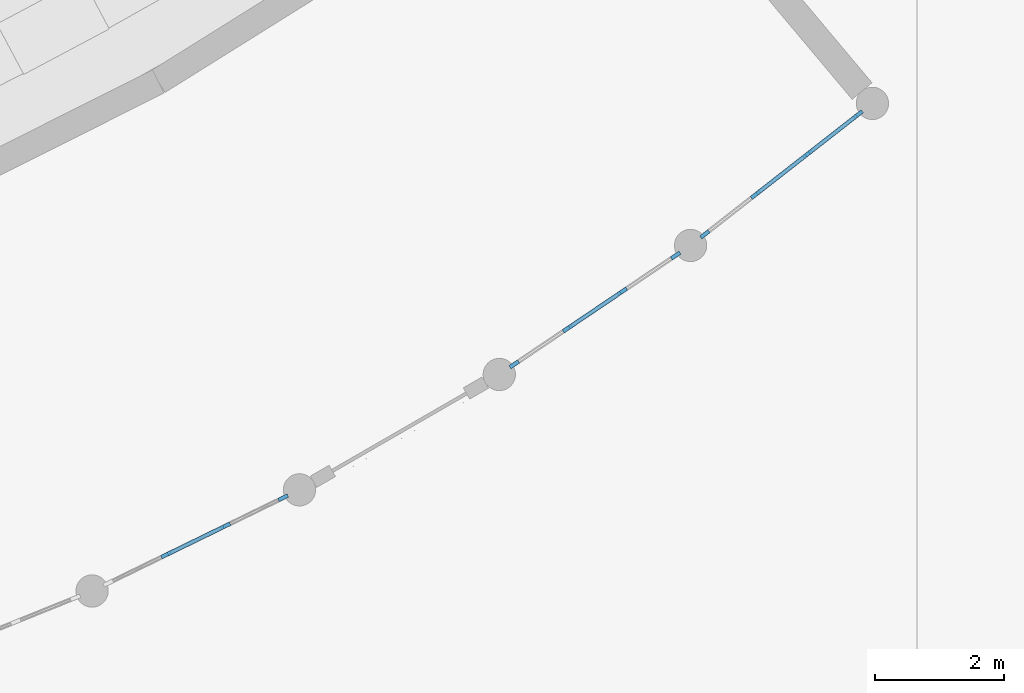
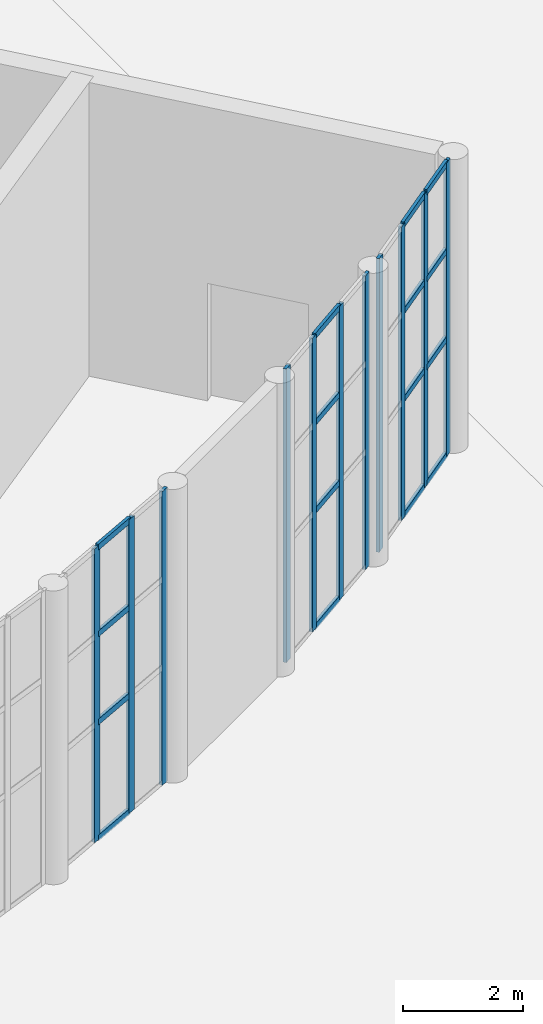
# One storey, part 48 of 210: 27 members, 3 elements without a shape of their own.
"""IFC4 building model written with IfcOpenShell, lengths in metres."""

from ifc_helpers import new_model, si_unit, direction, frame, origin, origin_2d, place, context, subcontext, project, spatial, rectangle, extrude, material, layer, layer_set, material_profile, profile_set, type_object, element, aggregate, save


model = new_model("IFC4")

# Units and contexts
model_context = context("Model", 3, precision=1e-05, world=origin(), true_north=direction((0.0, 1.0)))
body_context = subcontext(model_context, "Body", "Model", "MODEL_VIEW")
ifc_project = project(units=[si_unit("LENGTHUNIT", "METRE"), si_unit("AREAUNIT", "SQUARE_METRE"), si_unit("VOLUMEUNIT", "CUBIC_METRE"), si_unit("PLANEANGLEUNIT", "RADIAN"), si_unit("MASSUNIT", "GRAM", prefix="KILO")], contexts=[model_context])

# Site, building, storey
site_placement = place(None, origin())
site = spatial("IfcSite", under=ifc_project, at=site_placement, CompositionType="ELEMENT")
building_placement = place(site_placement, origin())
building = spatial("IfcBuilding", under=site, at=building_placement, Name="Rain Tree Exposition and Congress Centre", CompositionType="ELEMENT")
storey_placement = place(building_placement, origin())
storey = spatial("IfcBuildingStorey", under=building, at=storey_placement, Name="L00", CompositionType="ELEMENT", Elevation=0.0)

# Curtain wall, members
ifc_material_1 = material(Name="Aluminium", Category="aluminium")
ifc_layer = layer(ifc_material_1, 0.10009765625)
ifc_layer_set = layer_set([ifc_layer], Name="Aluminium")
curtain_wall_type = type_object("IfcCurtainWallType", Name="Curtain wall congress", PredefinedType="NOTDEFINED", material=ifc_layer_set)
curtain_wall_1_placement = place(storey_placement, origin())
curtain_wall_1 = element("IfcCurtainWall", 1, at=curtain_wall_1_placement, inside=storey, type_object=curtain_wall_type, Name="Curtain wall L00 bay 17", PredefinedType="NOTDEFINED")
ifc_material_2 = material(Name="Aluminium", Category="aluminium")
ifc_material_profile_1 = material_profile(ifc_material_2, rectangle(XDim=0.06005859375, YDim=0.159912109375, at=origin_2d()), Name="AL 60x160")
ifc_profile_set_1 = profile_set([ifc_material_profile_1], Name="Aluminium")
member_type_1 = type_object("IfcMemberType", Name="Curtain wall mullion 60x160 congress", PredefinedType="MULLION", material=ifc_profile_set_1)
member_1_placement = place(storey_placement, frame((223.570556640625, 20.9853515625, 0.0), z_axis=(0.0, 0.0, 1.0), x_axis=(-0.438368505628, 0.898795334475, 0.0)))
member_1 = element("IfcMember", 2, at=member_1_placement, type_object=member_type_1, Name="CWG117 mullion 2", PredefinedType="MULLION", context=body_context, shape_type="SweptSolid", body=[
    extrude(rectangle(XDim=0.06005859375, YDim=0.159912109375, at=origin_2d()), origin(), (0.0, 0.0, 1.0), 6.0),
])
member_2_placement = place(storey_placement, frame((224.491455078125, 21.434326171875, 0.0), z_axis=(0.0, 0.0, 1.0), x_axis=(-0.438368505628, 0.898795334475, 0.0)))
member_2 = element("IfcMember", 3, at=member_2_placement, type_object=member_type_1, Name="CWG117 mullion 3", PredefinedType="MULLION", context=body_context, shape_type="SweptSolid", body=[
    extrude(rectangle(XDim=0.06005859375, YDim=0.159912109375, at=origin_2d()), origin(), (0.0, 0.0, 1.0), 6.0),
])
member_3_placement = place(storey_placement, frame((225.38525390625, 21.870361328125, 0.0), z_axis=(0.0, 0.0, 1.0), x_axis=(-0.438368505628, 0.898795334475, 0.0)))
member_3 = element("IfcMember", 4, at=member_3_placement, type_object=member_type_1, Name="CWG117 mullion 4", PredefinedType="MULLION", context=body_context, shape_type="SweptSolid", body=[
    extrude(rectangle(XDim=0.06005859375, YDim=0.159912109375, at=origin_2d()), origin(), (0.0, 0.0, 1.0), 6.0),
])

curtain_wall_2_placement = place(storey_placement, origin())
curtain_wall_2 = element("IfcCurtainWall", 5, at=curtain_wall_2_placement, inside=storey, type_object=curtain_wall_type, Name="Curtain wall L00 bay 19", PredefinedType="NOTDEFINED")
member_4_placement = place(storey_placement, frame((228.9638671875, 23.9365234375, 0.0), z_axis=(0.0, 0.0, 1.0), x_axis=(-0.559196793659, 0.829034948577, 0.0)))
member_4 = element("IfcMember", 6, at=member_4_placement, type_object=member_type_1, Name="CWG119 mullion 1", PredefinedType="MULLION", context=body_context, shape_type="SweptSolid", body=[
    extrude(rectangle(XDim=0.06005859375, YDim=0.159912109375, at=origin_2d()), origin(), (0.0, 0.0, 1.0), 6.0),
])
member_5_placement = place(storey_placement, frame((229.78857421875, 24.49267578125, 0.0), z_axis=(0.0, 0.0, 1.0), x_axis=(-0.559196793659, 0.829034948577, 0.0)))
member_5 = element("IfcMember", 7, at=member_5_placement, type_object=member_type_1, Name="CWG119 mullion 2", PredefinedType="MULLION", context=body_context, shape_type="SweptSolid", body=[
    extrude(rectangle(XDim=0.06005859375, YDim=0.159912109375, at=origin_2d()), origin(), (0.0, 0.0, 1.0), 6.0),
])
member_6_placement = place(storey_placement, frame((230.637939453125, 25.065673828125, 0.0), z_axis=(0.0, 0.0, 1.0), x_axis=(-0.559196793659, 0.829034948577, 0.0)))
member_6 = element("IfcMember", 8, at=member_6_placement, type_object=member_type_1, Name="CWG119 mullion 3", PredefinedType="MULLION", context=body_context, shape_type="SweptSolid", body=[
    extrude(rectangle(XDim=0.06005859375, YDim=0.159912109375, at=origin_2d()), origin(), (0.0, 0.0, 1.0), 6.0),
])
member_7_placement = place(storey_placement, frame((231.46240234375, 25.621826171875, 0.0), z_axis=(0.0, 0.0, 1.0), x_axis=(-0.559196793659, 0.829034948577, 0.0)))
member_7 = element("IfcMember", 9, at=member_7_placement, type_object=member_type_1, Name="CWG119 mullion 4", PredefinedType="MULLION", context=body_context, shape_type="SweptSolid", body=[
    extrude(rectangle(XDim=0.06005859375, YDim=0.159912109375, at=origin_2d()), origin(), (0.0, 0.0, 1.0), 6.0),
])

curtain_wall_3_placement = place(storey_placement, origin())
curtain_wall_3 = element("IfcCurtainWall", 10, at=curtain_wall_3_placement, inside=storey, type_object=curtain_wall_type, Name="Curtain wall L00 bay 20", PredefinedType="NOTDEFINED")
member_8_placement = place(storey_placement, frame((231.915283203125, 25.95068359375, 0.0), z_axis=(0.0, 0.0, 1.0), x_axis=(-0.615671189348, 0.788003164084, 0.0)))
member_8 = element("IfcMember", 11, at=member_8_placement, type_object=member_type_1, Name="CWG120 mullion 1", PredefinedType="MULLION", context=body_context, shape_type="SweptSolid", body=[
    extrude(rectangle(XDim=0.06005859375, YDim=0.159912109375, at=origin_2d()), origin(), (0.0, 0.0, 1.0), 6.0),
])
member_9_placement = place(storey_placement, frame((232.698974609375, 26.56298828125, 0.0), z_axis=(0.0, 0.0, 1.0), x_axis=(-0.615671189348, 0.788003164084, 0.0)))
member_9 = element("IfcMember", 12, at=member_9_placement, type_object=member_type_1, Name="CWG120 mullion 2", PredefinedType="MULLION", context=body_context, shape_type="SweptSolid", body=[
    extrude(rectangle(XDim=0.06005859375, YDim=0.159912109375, at=origin_2d()), origin(), (0.0, 0.0, 1.0), 6.0),
])
member_10_placement = place(storey_placement, frame((233.50634765625, 27.19384765625, 0.0), z_axis=(0.0, 0.0, 1.0), x_axis=(-0.615671189348, 0.788003164084, 0.0)))
member_10 = element("IfcMember", 13, at=member_10_placement, type_object=member_type_1, Name="CWG120 mullion 3", PredefinedType="MULLION", context=body_context, shape_type="SweptSolid", body=[
    extrude(rectangle(XDim=0.06005859375, YDim=0.159912109375, at=origin_2d()), origin(), (0.0, 0.0, 1.0), 6.0),
])
member_11_placement = place(storey_placement, frame((234.2900390625, 27.80615234375, 0.0), z_axis=(0.0, 0.0, 1.0), x_axis=(-0.615671189348, 0.788003164084, 0.0)))
member_11 = element("IfcMember", 14, at=member_11_placement, type_object=member_type_1, Name="CWG120 mullion 4", PredefinedType="MULLION", context=body_context, shape_type="SweptSolid", body=[
    extrude(rectangle(XDim=0.06005859375, YDim=0.159912109375, at=origin_2d()), origin(), (0.0, 0.0, 1.0), 6.0),
])

# Member
ifc_material_3 = material(Name="Aluminium", Category="aluminium")
ifc_material_profile_2 = material_profile(ifc_material_3, rectangle(XDim=0.06005859375, YDim=0.1201171875, at=origin_2d()), Name="AL 60x120")
ifc_profile_set_2 = profile_set([ifc_material_profile_2], Name="Aluminium")
member_type_2 = type_object("IfcMemberType", Name="Curtain wall transom 60x120 congress", PredefinedType="USERDEFINED", material=ifc_profile_set_2)
member_12_placement = place(storey_placement, frame((223.597412109375, 20.998291015625, 0.030029296875), z_axis=(0.898787905279, 0.438383737523, 0.0), x_axis=(-0.438383737523, 0.898787905279, 0.0)))
member_12 = element("IfcMember", 15, at=member_12_placement, type_object=member_type_2, Name="CWG117 transom 2.1", ObjectType="TRANSOM", PredefinedType="USERDEFINED", context=body_context, shape_type="SweptSolid", body=[
    extrude(rectangle(XDim=0.06005859375, YDim=0.1201171875, at=origin_2d()), origin(), (0.0, 0.0, 1.0), 0.964599609375),
])

member_13_placement = place(storey_placement, frame((223.597412109375, 20.998291015625, 2.39990234375), z_axis=(0.898787905279, 0.438383737523, 0.0), x_axis=(-0.438383737523, 0.898787905279, 0.0)))
member_13 = element("IfcMember", 16, at=member_13_placement, type_object=member_type_2, Name="CWG117 transom 2.2", ObjectType="TRANSOM", PredefinedType="USERDEFINED", context=body_context, shape_type="SweptSolid", body=[
    extrude(rectangle(XDim=0.06005859375, YDim=0.1201171875, at=origin_2d()), origin(), (0.0, 0.0, 1.0), 0.964599609375),
])

member_14_placement = place(storey_placement, frame((223.597412109375, 20.998291015625, 4.199951171875), z_axis=(0.898787905279, 0.438383737523, 0.0), x_axis=(-0.438383737523, 0.898787905279, 0.0)))
member_14 = element("IfcMember", 17, at=member_14_placement, type_object=member_type_2, Name="CWG117 transom 2.3", ObjectType="TRANSOM", PredefinedType="USERDEFINED", context=body_context, shape_type="SweptSolid", body=[
    extrude(rectangle(XDim=0.06005859375, YDim=0.1201171875, at=origin_2d()), origin(), (0.0, 0.0, 1.0), 0.964599609375),
])

member_15_placement = place(storey_placement, frame((223.597412109375, 20.998291015625, 5.969970703125), z_axis=(0.898787905279, 0.438383737523, 0.0), x_axis=(-0.438383737523, 0.898787905279, 0.0)))
member_15 = element("IfcMember", 18, at=member_15_placement, type_object=member_type_2, Name="CWG117 transom 2.4", ObjectType="TRANSOM", PredefinedType="USERDEFINED", context=body_context, shape_type="SweptSolid", body=[
    extrude(rectangle(XDim=0.06005859375, YDim=0.1201171875, at=origin_2d()), origin(), (0.0, 0.0, 1.0), 0.964599609375),
])

aggregate(curtain_wall_1, [member_1, member_2, member_3, member_12, member_13, member_14, member_15])

member_16_placement = place(storey_placement, frame((229.8134765625, 24.509521484375, 0.030029296875), z_axis=(0.829039378948, 0.559190225373, 0.0), x_axis=(-0.559190225373, 0.829039378948, 0.0)))
member_16 = element("IfcMember", 19, at=member_16_placement, type_object=member_type_2, Name="CWG119 transom 2.1", ObjectType="TRANSOM", PredefinedType="USERDEFINED", context=body_context, shape_type="SweptSolid", body=[
    extrude(rectangle(XDim=0.06005859375, YDim=0.1201171875, at=origin_2d()), origin(), (0.0, 0.0, 1.0), 0.96435546875),
])

member_17_placement = place(storey_placement, frame((229.8134765625, 24.509521484375, 2.39990234375), z_axis=(0.829039378948, 0.559190225373, 0.0), x_axis=(-0.559190225373, 0.829039378948, 0.0)))
member_17 = element("IfcMember", 20, at=member_17_placement, type_object=member_type_2, Name="CWG119 transom 2.2", ObjectType="TRANSOM", PredefinedType="USERDEFINED", context=body_context, shape_type="SweptSolid", body=[
    extrude(rectangle(XDim=0.06005859375, YDim=0.1201171875, at=origin_2d()), origin(), (0.0, 0.0, 1.0), 0.96435546875),
])

member_18_placement = place(storey_placement, frame((229.8134765625, 24.509521484375, 4.199951171875), z_axis=(0.829039378948, 0.559190225373, 0.0), x_axis=(-0.559190225373, 0.829039378948, 0.0)))
member_18 = element("IfcMember", 21, at=member_18_placement, type_object=member_type_2, Name="CWG119 transom 2.3", ObjectType="TRANSOM", PredefinedType="USERDEFINED", context=body_context, shape_type="SweptSolid", body=[
    extrude(rectangle(XDim=0.06005859375, YDim=0.1201171875, at=origin_2d()), origin(), (0.0, 0.0, 1.0), 0.96435546875),
])

member_19_placement = place(storey_placement, frame((229.8134765625, 24.509521484375, 5.969970703125), z_axis=(0.829039378948, 0.559190225373, 0.0), x_axis=(-0.559190225373, 0.829039378948, 0.0)))
member_19 = element("IfcMember", 22, at=member_19_placement, type_object=member_type_2, Name="CWG119 transom 2.4", ObjectType="TRANSOM", PredefinedType="USERDEFINED", context=body_context, shape_type="SweptSolid", body=[
    extrude(rectangle(XDim=0.06005859375, YDim=0.1201171875, at=origin_2d()), origin(), (0.0, 0.0, 1.0), 0.96435546875),
])

aggregate(curtain_wall_2, [member_4, member_5, member_6, member_7, member_16, member_17, member_18, member_19])

member_20_placement = place(storey_placement, frame((232.72265625, 26.58154296875, 0.030029296875), z_axis=(0.788028211506, 0.61563912958, 0.0), x_axis=(-0.61563912958, 0.788028211506, 0.0)))
member_20 = element("IfcMember", 23, at=member_20_placement, type_object=member_type_2, Name="CWG120 transom 2.1", ObjectType="TRANSOM", PredefinedType="USERDEFINED", context=body_context, shape_type="SweptSolid", body=[
    extrude(rectangle(XDim=0.06005859375, YDim=0.1201171875, at=origin_2d()), origin(), (0.0, 0.0, 1.0), 0.96435546875),
])

member_21_placement = place(storey_placement, frame((232.72265625, 26.58154296875, 2.39990234375), z_axis=(0.788028211506, 0.61563912958, 0.0), x_axis=(-0.61563912958, 0.788028211506, 0.0)))
member_21 = element("IfcMember", 24, at=member_21_placement, type_object=member_type_2, Name="CWG120 transom 2.2", ObjectType="TRANSOM", PredefinedType="USERDEFINED", context=body_context, shape_type="SweptSolid", body=[
    extrude(rectangle(XDim=0.06005859375, YDim=0.1201171875, at=origin_2d()), origin(), (0.0, 0.0, 1.0), 0.96435546875),
])

member_22_placement = place(storey_placement, frame((232.72265625, 26.58154296875, 4.199951171875), z_axis=(0.788028211506, 0.61563912958, 0.0), x_axis=(-0.61563912958, 0.788028211506, 0.0)))
member_22 = element("IfcMember", 25, at=member_22_placement, type_object=member_type_2, Name="CWG120 transom 2.3", ObjectType="TRANSOM", PredefinedType="USERDEFINED", context=body_context, shape_type="SweptSolid", body=[
    extrude(rectangle(XDim=0.06005859375, YDim=0.1201171875, at=origin_2d()), origin(), (0.0, 0.0, 1.0), 0.96435546875),
])

member_23_placement = place(storey_placement, frame((232.72265625, 26.58154296875, 5.969970703125), z_axis=(0.788028211506, 0.61563912958, 0.0), x_axis=(-0.61563912958, 0.788028211506, 0.0)))
member_23 = element("IfcMember", 26, at=member_23_placement, type_object=member_type_2, Name="CWG120 transom 2.4", ObjectType="TRANSOM", PredefinedType="USERDEFINED", context=body_context, shape_type="SweptSolid", body=[
    extrude(rectangle(XDim=0.06005859375, YDim=0.1201171875, at=origin_2d()), origin(), (0.0, 0.0, 1.0), 0.96435546875),
])

member_24_placement = place(storey_placement, frame((233.530029296875, 27.212158203125, 0.030029296875), z_axis=(0.787929306804, 0.615765708268, 0.0), x_axis=(-0.615765708268, 0.787929306804, 0.0)))
member_24 = element("IfcMember", 27, at=member_24_placement, type_object=member_type_2, Name="CWG120 transom 3.1", ObjectType="TRANSOM", PredefinedType="USERDEFINED", context=body_context, shape_type="SweptSolid", body=[
    extrude(rectangle(XDim=0.06005859375, YDim=0.1201171875, at=origin_2d()), origin(), (0.0, 0.0, 1.0), 0.9345703125),
])

member_25_placement = place(storey_placement, frame((233.530029296875, 27.212158203125, 2.39990234375), z_axis=(0.787929306804, 0.615765708268, 0.0), x_axis=(-0.615765708268, 0.787929306804, 0.0)))
member_25 = element("IfcMember", 28, at=member_25_placement, type_object=member_type_2, Name="CWG120 transom 3.2", ObjectType="TRANSOM", PredefinedType="USERDEFINED", context=body_context, shape_type="SweptSolid", body=[
    extrude(rectangle(XDim=0.06005859375, YDim=0.1201171875, at=origin_2d()), origin(), (0.0, 0.0, 1.0), 0.9345703125),
])

member_26_placement = place(storey_placement, frame((233.530029296875, 27.212158203125, 4.199951171875), z_axis=(0.787929306804, 0.615765708268, 0.0), x_axis=(-0.615765708268, 0.787929306804, 0.0)))
member_26 = element("IfcMember", 29, at=member_26_placement, type_object=member_type_2, Name="CWG120 transom 3.3", ObjectType="TRANSOM", PredefinedType="USERDEFINED", context=body_context, shape_type="SweptSolid", body=[
    extrude(rectangle(XDim=0.06005859375, YDim=0.1201171875, at=origin_2d()), origin(), (0.0, 0.0, 1.0), 0.9345703125),
])

member_27_placement = place(storey_placement, frame((233.530029296875, 27.212158203125, 5.969970703125), z_axis=(0.787929306804, 0.615765708268, 0.0), x_axis=(-0.615765708268, 0.787929306804, 0.0)))
member_27 = element("IfcMember", 30, at=member_27_placement, type_object=member_type_2, Name="CWG120 transom 3.4", ObjectType="TRANSOM", PredefinedType="USERDEFINED", context=body_context, shape_type="SweptSolid", body=[
    extrude(rectangle(XDim=0.06005859375, YDim=0.1201171875, at=origin_2d()), origin(), (0.0, 0.0, 1.0), 0.9345703125),
])

aggregate(curtain_wall_3, [member_8, member_9, member_10, member_11, member_20, member_21, member_22, member_23, member_24, member_25, member_26, member_27])

save(model, "model.ifc")
